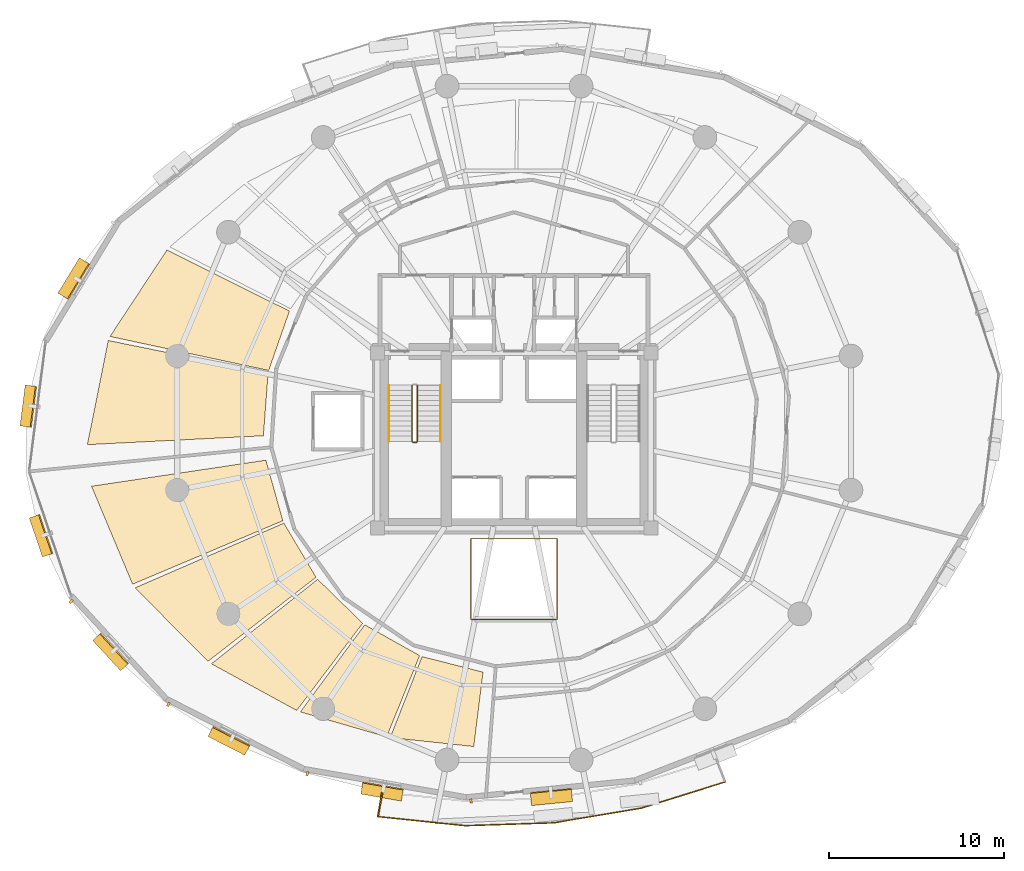
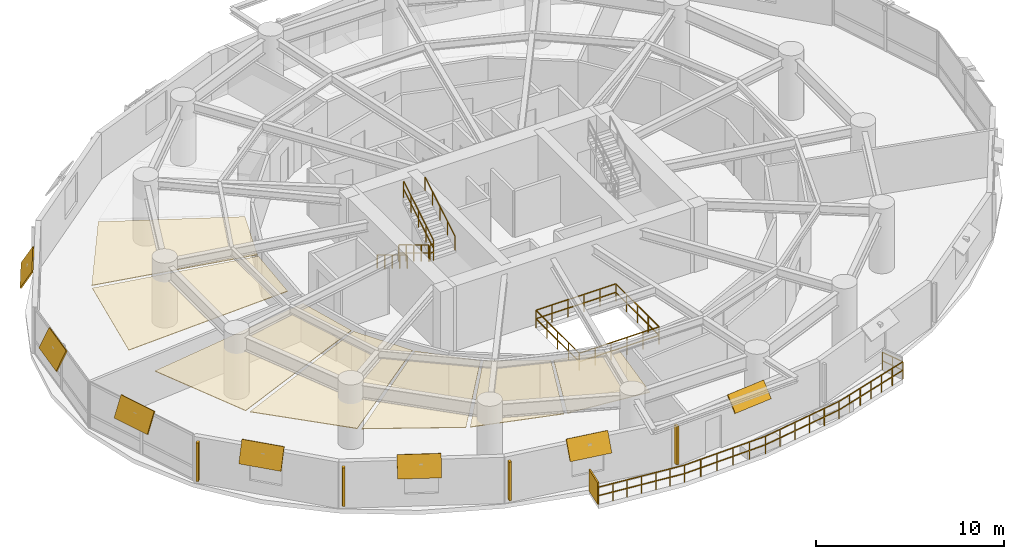
# One storey, part 15 of 17: 12 shading devices, 7 coverings, 7 railings.
"""IFC4 building model written with IfcOpenShell, lengths in metres."""

from ifc_helpers import new_model, si_unit, direction, frame, origin, origin_2d, place, context, subcontext, project, spatial, polyline, rectangle, outline, extrude, material, layer, layer_set, type_object, element, save


model = new_model("IFC4")

# Units and contexts
model_context = context("Model", 3, precision=1e-05, world=origin(), true_north=direction((0.0, 1.0)))
body_context = subcontext(model_context, "Body", "Model", "MODEL_VIEW")
ifc_project = project(units=[si_unit("LENGTHUNIT", "METRE"), si_unit("AREAUNIT", "SQUARE_METRE"), si_unit("VOLUMEUNIT", "CUBIC_METRE"), si_unit("PLANEANGLEUNIT", "RADIAN"), si_unit("MASSUNIT", "GRAM", prefix="KILO"), si_unit("THERMODYNAMICTEMPERATUREUNIT", "KELVIN"), si_unit("POWERUNIT", "WATT")], contexts=[model_context])

# Site, building, storey
site_placement = place(None, origin())
site = spatial("IfcSite", under=ifc_project, at=site_placement, CompositionType="ELEMENT")
building_placement = place(site_placement, origin())
building = spatial("IfcBuilding", under=site, at=building_placement, Name="Ocrelia Relay Tower", CompositionType="ELEMENT")
storey_placement = place(building_placement, frame((0.0, 0.0, 55.199951171875)))
storey = spatial("IfcBuildingStorey", under=building, at=storey_placement, Name="L12", CompositionType="ELEMENT", Elevation=55.199951171875)

# Coverings
ifc_material_1 = material(Name="Mineral-fiber acoustic ceiling tile", Category="gypsum")
ifc_layer_1 = layer(ifc_material_1, 0.0400390625, Name="Mineral-fiber acoustic ceiling tile")
ifc_layer_set_1 = layer_set([ifc_layer_1], Name="Mineral-fiber acoustic ceiling tile")
covering_type_1 = type_object("IfcCoveringType", Name="COV-CEIL-ACOUSTIC", PredefinedType="CEILING", material=ifc_layer_set_1)
covering_1_placement = place(storey_placement, frame((0.0, 0.0, 2.920166015625)))
element("IfcCovering", 1, at=covering_1_placement, inside=storey, type_object=covering_type_1, Name="L12 Carrier Briefing Room Suspended Ceiling 4", PredefinedType="CEILING", context=body_context, shape_type="SweptSolid", body=[
    extrude(outline(polyline([(21.1845703125, 32.3896484375), (14.192626953125, 35.87548828125), (10.9453125, 30.9423828125), (19.998046875, 29.001708984375), (21.1845703125, 32.3896484375)])), origin(), (0.0, 0.0, 1.0), 0.039794921875),
])
covering_2_placement = place(storey_placement, frame((0.0, 0.0, 2.920166015625)))
element("IfcCovering", 2, at=covering_2_placement, inside=storey, type_object=covering_type_1, Name="L12 Carrier Briefing Room Suspended Ceiling 5", PredefinedType="CEILING", context=body_context, shape_type="SweptSolid", body=[
    extrude(outline(polyline([(19.967529296875, 28.85498046875), (10.845458984375, 30.7109375), (9.6533203125, 24.7666015625), (19.6982421875, 25.275390625), (19.967529296875, 28.85498046875)])), origin(), (0.0, 0.0, 1.0), 0.039794921875),
])
ifc_material_2 = material(Name="Cleanroom metal-pan acoustic ceiling", Category="aluminium")
ifc_layer_2 = layer(ifc_material_2, 0.0400390625, Name="Cleanroom metal-pan acoustic ceiling")
ifc_layer_set_2 = layer_set([ifc_layer_2], Name="Cleanroom metal-pan acoustic ceiling")
covering_type_2 = type_object("IfcCoveringType", Name="COV-CEIL-CLEAN", PredefinedType="CEILING", material=ifc_layer_set_2)
covering_3_placement = place(storey_placement, frame((0.0, 0.0, 2.920166015625)))
element("IfcCovering", 3, at=covering_3_placement, inside=storey, type_object=covering_type_2, Name="L12 Colocation Data Hall A Suspended Ceiling 1", PredefinedType="CEILING", context=body_context, shape_type="SweptSolid", body=[
    extrude(outline(polyline([(19.83740234375, 23.88330078125), (9.889892578125, 22.396728515625), (12.2333984375, 16.805419921875), (20.80859375, 20.427734375), (19.83740234375, 23.88330078125)])), origin(), (0.0, 0.0, 1.0), 0.039794921875),
])
covering_4_placement = place(storey_placement, frame((0.0, 0.0, 2.920166015625)))
element("IfcCovering", 4, at=covering_4_placement, inside=storey, type_object=covering_type_2, Name="L12 Colocation Data Hall A Suspended Ceiling 2", PredefinedType="CEILING", context=body_context, shape_type="SweptSolid", body=[
    extrude(outline(polyline([(20.86767578125, 20.289794921875), (12.376953125, 16.597900390625), (16.535400390625, 12.404296875), (22.7001953125, 17.203369140625), (20.86767578125, 20.289794921875)])), origin(), (0.0, 0.0, 1.0), 0.039794921875),
])
covering_5_placement = place(storey_placement, frame((0.0, 0.0, 2.920166015625)))
element("IfcCovering", 5, at=covering_5_placement, inside=storey, type_object=covering_type_2, Name="L12 Colocation Data Hall A Suspended Ceiling 3", PredefinedType="CEILING", context=body_context, shape_type="SweptSolid", body=[
    extrude(outline(polyline([(22.793212890625, 17.085693359375), (16.72998046875, 12.2626953125), (21.59765625, 9.601318359375), (25.362060546875, 14.57861328125), (22.793212890625, 17.085693359375)])), origin(), (0.0, 0.0, 1.0), 0.039794921875),
])
covering_6_placement = place(storey_placement, frame((0.0, 0.0, 2.920166015625)))
element("IfcCovering", 6, at=covering_6_placement, inside=storey, type_object=covering_type_2, Name="L12 Colocation Data Hall A Suspended Ceiling 4", PredefinedType="CEILING", context=body_context, shape_type="SweptSolid", body=[
    extrude(outline(polyline([(25.482177734375, 14.48876953125), (21.80419921875, 9.5185546875), (26.727783203125, 8.091064453125), (28.612548828125, 12.732177734375), (25.482177734375, 14.48876953125)])), origin(), (0.0, 0.0, 1.0), 0.039794921875),
])
covering_7_placement = place(storey_placement, frame((0.0, 0.0, 2.920166015625)))
element("IfcCovering", 7, at=covering_7_placement, inside=storey, type_object=covering_type_2, Name="L12 Colocation Data Hall A Suspended Ceiling 5", PredefinedType="CEILING", context=body_context, shape_type="SweptSolid", body=[
    extrude(outline(polyline([(28.751708984375, 12.676513671875), (26.930419921875, 8.052490234375), (31.701416015625, 7.544677734375), (32.22998046875, 11.789794921875), (28.751708984375, 12.676513671875)])), origin(), (0.0, 0.0, 1.0), 0.039794921875),
])

# Railings
ifc_material_3 = material(Name="Steel S355 balustrade", Category="steel")
railing_type_1 = type_object("IfcRailingType", Name="RL-EXT-GUARD-1150", PredefinedType="GUARDRAIL", material=ifc_material_3)
railing_1_placement = place(storey_placement, frame((45.546875, 6.819580078125, 0.0)))
element("IfcRailing", 8, at=railing_1_placement, inside=storey, type_object=railing_type_1, Name="L12 Loggia Balcony Guard Rail B2", PredefinedType="GUARDRAIL", context=body_context, shape_type="SweptSolid", body=[
    extrude(rectangle(XDim=0.048095703125, YDim=0.048095703125, at=origin_2d()), frame((0.0, 0.0, 1.1259765625), z_axis=(0.364280426444, -0.931289305699, 0.0), x_axis=(0.931289305699, 0.364280426444, 0.0)), (0.0, 0.0, 1.0), 1.393310546875),
    extrude(rectangle(XDim=0.048095703125, YDim=0.048095703125, at=origin_2d()), frame((0.0, 0.0, 0.574951171875), z_axis=(0.364280426444, -0.931289305699, 0.0), x_axis=(0.931289305699, 0.364280426444, 0.0)), (0.0, 0.0, 1.0), 1.393310546875),
    extrude(rectangle(XDim=0.048095703125, YDim=0.048095703125, at=origin_2d()), frame((0.507568359375, -1.297607421875, 1.1259765625), z_axis=(-0.954616875741, -0.297836566847, 0.0), x_axis=(0.297836566847, -0.954616875741, 0.0)), (0.0, 0.0, 1.0), 2.505126953125),
    extrude(rectangle(XDim=0.048095703125, YDim=0.048095703125, at=origin_2d()), frame((0.507568359375, -1.297607421875, 0.574951171875), z_axis=(-0.954616875741, -0.297836566847, 0.0), x_axis=(0.297836566847, -0.954616875741, 0.0)), (0.0, 0.0, 1.0), 2.505126953125),
    extrude(rectangle(XDim=0.048095703125, YDim=0.048095703125, at=origin_2d()), frame((-1.8837890625, -2.043701171875, 1.1259765625), z_axis=(-0.954616875741, -0.297836566847, 0.0), x_axis=(0.297836566847, -0.954616875741, 0.0)), (0.0, 0.0, 1.0), 2.505126953125),
    extrude(rectangle(XDim=0.048095703125, YDim=0.048095703125, at=origin_2d()), frame((-1.8837890625, -2.043701171875, 0.574951171875), z_axis=(-0.954616875741, -0.297836566847, 0.0), x_axis=(0.297836566847, -0.954616875741, 0.0)), (0.0, 0.0, 1.0), 2.505126953125),
    extrude(rectangle(XDim=0.048095703125, YDim=0.048095703125, at=origin_2d()), frame((-4.275146484375, -2.789794921875, 1.1259765625), z_axis=(-0.986164992862, -0.165766724202, 0.0), x_axis=(0.165766724202, -0.986164992862, 0.0)), (0.0, 0.0, 1.0), 5.06494140625),
    extrude(rectangle(XDim=0.048095703125, YDim=0.048095703125, at=origin_2d()), frame((-4.275146484375, -2.789794921875, 0.574951171875), z_axis=(-0.986164992862, -0.165766724202, 0.0), x_axis=(0.165766724202, -0.986164992862, 0.0)), (0.0, 0.0, 1.0), 5.06494140625),
    extrude(rectangle(XDim=0.048095703125, YDim=0.048095703125, at=origin_2d()), frame((-9.27001953125, -3.62939453125, 1.1259765625), z_axis=(-0.999473731682, -0.032438552345, 0.0), x_axis=(0.032438552345, -0.999473731682, 0.0)), (0.0, 0.0, 1.0), 5.065185546875),
    extrude(rectangle(XDim=0.048095703125, YDim=0.048095703125, at=origin_2d()), frame((-9.27001953125, -3.62939453125, 0.574951171875), z_axis=(-0.999473731682, -0.032438552345, 0.0), x_axis=(0.032438552345, -0.999473731682, 0.0)), (0.0, 0.0, 1.0), 5.065185546875),
    extrude(rectangle(XDim=0.048095703125, YDim=0.048095703125, at=origin_2d()), frame((-14.33251953125, -3.793701171875, 1.1259765625), z_axis=(-0.994649747121, 0.10330479443, 0.0), x_axis=(-0.10330479443, -0.994649747121, 0.0)), (0.0, 0.0, 1.0), 2.505126953125),
    extrude(rectangle(XDim=0.048095703125, YDim=0.048095703125, at=origin_2d()), frame((-14.33251953125, -3.793701171875, 0.574951171875), z_axis=(-0.994649747121, 0.10330479443, 0.0), x_axis=(-0.10330479443, -0.994649747121, 0.0)), (0.0, 0.0, 1.0), 2.505126953125),
    extrude(rectangle(XDim=0.048095703125, YDim=0.048095703125, at=origin_2d()), frame((-16.82421875, -3.534912109375, 1.1259765625), z_axis=(-0.994658718221, 0.10321838144, 0.0), x_axis=(-0.10321838144, -0.994658718221, 0.0)), (0.0, 0.0, 1.0), 2.5048828125),
    extrude(rectangle(XDim=0.048095703125, YDim=0.048095703125, at=origin_2d()), frame((-16.82421875, -3.534912109375, 0.574951171875), z_axis=(-0.994658718221, 0.10321838144, 0.0), x_axis=(-0.10321838144, -0.994658718221, 0.0)), (0.0, 0.0, 1.0), 2.5048828125),
    extrude(rectangle(XDim=0.048095703125, YDim=0.048095703125, at=origin_2d()), frame((-19.315673828125, -3.2763671875, 1.1259765625), z_axis=(0.172915766639, 0.984936616056, 0.0), x_axis=(-0.984936616056, 0.172915766639, 0.0)), (0.0, 0.0, 1.0), 1.3935546875),
    extrude(rectangle(XDim=0.048095703125, YDim=0.048095703125, at=origin_2d()), frame((-19.315673828125, -3.2763671875, 0.574951171875), z_axis=(0.172915766639, 0.984936616056, 0.0), x_axis=(-0.984936616056, 0.172915766639, 0.0)), (0.0, 0.0, 1.0), 1.3935546875),
    extrude(rectangle(XDim=0.0419921875, YDim=0.0419921875, at=origin_2d()), origin(), (0.0, 0.0, 1.0), 1.101806640625),
    extrude(rectangle(XDim=0.0419921875, YDim=0.0419921875, at=origin_2d()), frame((0.25390625, -0.64892578125, 0.0)), (0.0, 0.0, 1.0), 1.101806640625),
    extrude(rectangle(XDim=0.0419921875, YDim=0.0419921875, at=origin_2d()), frame((0.507568359375, -1.297607421875, 0.0)), (0.0, 0.0, 1.0), 1.101806640625),
    extrude(rectangle(XDim=0.0419921875, YDim=0.0419921875, at=origin_2d()), frame((-0.28955078125, -1.54638671875, 0.0)), (0.0, 0.0, 1.0), 1.101806640625),
    extrude(rectangle(XDim=0.0419921875, YDim=0.0419921875, at=origin_2d()), frame((-1.086669921875, -1.794921875, 0.0)), (0.0, 0.0, 1.0), 1.101806640625),
    extrude(rectangle(XDim=0.0419921875, YDim=0.0419921875, at=origin_2d()), frame((-1.8837890625, -2.043701171875, 0.0)), (0.0, 0.0, 1.0), 1.101806640625),
    extrude(rectangle(XDim=0.0419921875, YDim=0.0419921875, at=origin_2d()), frame((-2.680908203125, -2.29248046875, 0.0)), (0.0, 0.0, 1.0), 1.101806640625),
    extrude(rectangle(XDim=0.0419921875, YDim=0.0419921875, at=origin_2d()), frame((-3.47802734375, -2.541015625, 0.0)), (0.0, 0.0, 1.0), 1.101806640625),
    extrude(rectangle(XDim=0.0419921875, YDim=0.0419921875, at=origin_2d()), frame((-4.275146484375, -2.789794921875, 0.0)), (0.0, 0.0, 1.0), 1.101806640625),
    extrude(rectangle(XDim=0.0419921875, YDim=0.0419921875, at=origin_2d()), frame((-5.274169921875, -2.957763671875, 0.0)), (0.0, 0.0, 1.0), 1.101806640625),
    extrude(rectangle(XDim=0.0419921875, YDim=0.0419921875, at=origin_2d()), frame((-6.273193359375, -3.125732421875, 0.0)), (0.0, 0.0, 1.0), 1.101806640625),
    extrude(rectangle(XDim=0.0419921875, YDim=0.0419921875, at=origin_2d()), frame((-7.27197265625, -3.29345703125, 0.0)), (0.0, 0.0, 1.0), 1.101806640625),
    extrude(rectangle(XDim=0.0419921875, YDim=0.0419921875, at=origin_2d()), frame((-8.27099609375, -3.46142578125, 0.0)), (0.0, 0.0, 1.0), 1.101806640625),
    extrude(rectangle(XDim=0.0419921875, YDim=0.0419921875, at=origin_2d()), frame((-9.27001953125, -3.62939453125, 0.0)), (0.0, 0.0, 1.0), 1.101806640625),
    extrude(rectangle(XDim=0.0419921875, YDim=0.0419921875, at=origin_2d()), frame((-10.282470703125, -3.662353515625, 0.0)), (0.0, 0.0, 1.0), 1.101806640625),
    extrude(rectangle(XDim=0.0419921875, YDim=0.0419921875, at=origin_2d()), frame((-11.294921875, -3.695068359375, 0.0)), (0.0, 0.0, 1.0), 1.101806640625),
    extrude(rectangle(XDim=0.0419921875, YDim=0.0419921875, at=origin_2d()), frame((-12.3076171875, -3.72802734375, 0.0)), (0.0, 0.0, 1.0), 1.101806640625),
    extrude(rectangle(XDim=0.0419921875, YDim=0.0419921875, at=origin_2d()), frame((-13.320068359375, -3.7607421875, 0.0)), (0.0, 0.0, 1.0), 1.101806640625),
    extrude(rectangle(XDim=0.0419921875, YDim=0.0419921875, at=origin_2d()), frame((-14.33251953125, -3.793701171875, 0.0)), (0.0, 0.0, 1.0), 1.101806640625),
    extrude(rectangle(XDim=0.0419921875, YDim=0.0419921875, at=origin_2d()), frame((-15.1630859375, -3.70751953125, 0.0)), (0.0, 0.0, 1.0), 1.101806640625),
    extrude(rectangle(XDim=0.0419921875, YDim=0.0419921875, at=origin_2d()), frame((-15.99365234375, -3.62109375, 0.0)), (0.0, 0.0, 1.0), 1.101806640625),
    extrude(rectangle(XDim=0.0419921875, YDim=0.0419921875, at=origin_2d()), frame((-16.82421875, -3.534912109375, 0.0)), (0.0, 0.0, 1.0), 1.101806640625),
    extrude(rectangle(XDim=0.0419921875, YDim=0.0419921875, at=origin_2d()), frame((-17.65478515625, -3.44873046875, 0.0)), (0.0, 0.0, 1.0), 1.101806640625),
    extrude(rectangle(XDim=0.0419921875, YDim=0.0419921875, at=origin_2d()), frame((-18.485107421875, -3.362548828125, 0.0)), (0.0, 0.0, 1.0), 1.101806640625),
    extrude(rectangle(XDim=0.0419921875, YDim=0.0419921875, at=origin_2d()), frame((-19.315673828125, -3.2763671875, 0.0)), (0.0, 0.0, 1.0), 1.101806640625),
    extrude(rectangle(XDim=0.0419921875, YDim=0.0419921875, at=origin_2d()), frame((-19.1953125, -2.590087890625, 0.0)), (0.0, 0.0, 1.0), 1.101806640625),
    extrude(rectangle(XDim=0.0419921875, YDim=0.0419921875, at=origin_2d()), frame((-19.07470703125, -1.90380859375, 0.0)), (0.0, 0.0, 1.0), 1.101806640625),
])
ifc_material_4 = material(Name="Steel S355 atrium balustrade", Category="steel")
railing_type_2 = type_object("IfcRailingType", Name="RL-INT-GUARD-115", PredefinedType="GUARDRAIL", material=ifc_material_4)
railing_2_placement = place(storey_placement, frame((31.550048828125, 14.800048828125, 0.0)))
element("IfcRailing", 9, at=railing_2_placement, inside=storey, type_object=railing_type_2, Name="L12 Multi-Zone Interior Atrium Guard", PredefinedType="GUARDRAIL", context=body_context, shape_type="SweptSolid", body=[
    extrude(rectangle(XDim=0.048095703125, YDim=0.048095703125, at=origin_2d()), frame((0.0, 0.0, 1.1259765625), z_axis=(1.0, 0.0, 0.0), x_axis=(0.0, 1.0, 0.0)), (0.0, 0.0, 1.0), 4.89990234375),
    extrude(rectangle(XDim=0.048095703125, YDim=0.048095703125, at=origin_2d()), frame((0.0, 0.0, 0.574951171875), z_axis=(1.0, 0.0, 0.0), x_axis=(0.0, 1.0, 0.0)), (0.0, 0.0, 1.0), 4.89990234375),
    extrude(rectangle(XDim=0.048095703125, YDim=0.048095703125, at=origin_2d()), frame((4.89990234375, 0.0, 1.1259765625), z_axis=(0.0, 1.0, 0.0), x_axis=(-1.0, 0.0, 0.0)), (0.0, 0.0, 1.0), 4.599853515625),
    extrude(rectangle(XDim=0.048095703125, YDim=0.048095703125, at=origin_2d()), frame((4.89990234375, 0.0, 0.574951171875), z_axis=(0.0, 1.0, 0.0), x_axis=(-1.0, 0.0, 0.0)), (0.0, 0.0, 1.0), 4.599853515625),
    extrude(rectangle(XDim=0.048095703125, YDim=0.048095703125, at=origin_2d()), frame((4.89990234375, 4.599853515625, 1.1259765625), z_axis=(-1.0, 0.0, 0.0), x_axis=(0.0, -1.0, 0.0)), (0.0, 0.0, 1.0), 4.89990234375),
    extrude(rectangle(XDim=0.048095703125, YDim=0.048095703125, at=origin_2d()), frame((4.89990234375, 4.599853515625, 0.574951171875), z_axis=(-1.0, 0.0, 0.0), x_axis=(0.0, -1.0, 0.0)), (0.0, 0.0, 1.0), 4.89990234375),
    extrude(rectangle(XDim=0.048095703125, YDim=0.048095703125, at=origin_2d()), frame((0.0, 4.599853515625, 1.1259765625), z_axis=(0.0, -1.0, 0.0), x_axis=(1.0, 0.0, 0.0)), (0.0, 0.0, 1.0), 4.599853515625),
    extrude(rectangle(XDim=0.048095703125, YDim=0.048095703125, at=origin_2d()), frame((0.0, 4.599853515625, 0.574951171875), z_axis=(0.0, -1.0, 0.0), x_axis=(1.0, 0.0, 0.0)), (0.0, 0.0, 1.0), 4.599853515625),
    extrude(rectangle(XDim=0.0419921875, YDim=0.0419921875, at=origin_2d()), origin(), (0.0, 0.0, 1.0), 1.101806640625),
    extrude(rectangle(XDim=0.0419921875, YDim=0.0419921875, at=origin_2d()), frame((0.97998046875, 0.0, 0.0)), (0.0, 0.0, 1.0), 1.101806640625),
    extrude(rectangle(XDim=0.0419921875, YDim=0.0419921875, at=origin_2d()), frame((1.9599609375, 0.0, 0.0)), (0.0, 0.0, 1.0), 1.101806640625),
    extrude(rectangle(XDim=0.0419921875, YDim=0.0419921875, at=origin_2d()), frame((2.93994140625, 0.0, 0.0)), (0.0, 0.0, 1.0), 1.101806640625),
    extrude(rectangle(XDim=0.0419921875, YDim=0.0419921875, at=origin_2d()), frame((3.919921875, 0.0, 0.0)), (0.0, 0.0, 1.0), 1.101806640625),
    extrude(rectangle(XDim=0.0419921875, YDim=0.0419921875, at=origin_2d()), frame((4.89990234375, 0.0, 0.0)), (0.0, 0.0, 1.0), 1.101806640625),
    extrude(rectangle(XDim=0.0419921875, YDim=0.0419921875, at=origin_2d()), frame((4.89990234375, 1.14990234375, 0.0)), (0.0, 0.0, 1.0), 1.101806640625),
    extrude(rectangle(XDim=0.0419921875, YDim=0.0419921875, at=origin_2d()), frame((4.89990234375, 2.2998046875, 0.0)), (0.0, 0.0, 1.0), 1.101806640625),
    extrude(rectangle(XDim=0.0419921875, YDim=0.0419921875, at=origin_2d()), frame((4.89990234375, 3.449951171875, 0.0)), (0.0, 0.0, 1.0), 1.101806640625),
    extrude(rectangle(XDim=0.0419921875, YDim=0.0419921875, at=origin_2d()), frame((4.89990234375, 4.599853515625, 0.0)), (0.0, 0.0, 1.0), 1.101806640625),
    extrude(rectangle(XDim=0.0419921875, YDim=0.0419921875, at=origin_2d()), frame((3.919921875, 4.599853515625, 0.0)), (0.0, 0.0, 1.0), 1.101806640625),
    extrude(rectangle(XDim=0.0419921875, YDim=0.0419921875, at=origin_2d()), frame((2.93994140625, 4.599853515625, 0.0)), (0.0, 0.0, 1.0), 1.101806640625),
    extrude(rectangle(XDim=0.0419921875, YDim=0.0419921875, at=origin_2d()), frame((1.9599609375, 4.599853515625, 0.0)), (0.0, 0.0, 1.0), 1.101806640625),
    extrude(rectangle(XDim=0.0419921875, YDim=0.0419921875, at=origin_2d()), frame((0.97998046875, 4.599853515625, 0.0)), (0.0, 0.0, 1.0), 1.101806640625),
    extrude(rectangle(XDim=0.0419921875, YDim=0.0419921875, at=origin_2d()), frame((0.0, 4.599853515625, 0.0)), (0.0, 0.0, 1.0), 1.101806640625),
    extrude(rectangle(XDim=0.0419921875, YDim=0.0419921875, at=origin_2d()), frame((0.0, 3.449951171875, 0.0)), (0.0, 0.0, 1.0), 1.101806640625),
    extrude(rectangle(XDim=0.0419921875, YDim=0.0419921875, at=origin_2d()), frame((0.0, 2.2998046875, 0.0)), (0.0, 0.0, 1.0), 1.101806640625),
    extrude(rectangle(XDim=0.0419921875, YDim=0.0419921875, at=origin_2d()), frame((0.0, 1.14990234375, 0.0)), (0.0, 0.0, 1.0), 1.101806640625),
])
railing_type_3 = type_object("IfcRailingType", Name="RL-STAIR-GUARD", PredefinedType="GUARDRAIL", material=ifc_material_3)
railing_3_placement = place(storey_placement, frame((28.179931640625, 28.14990234375, 0.175048828125)))
element("IfcRailing", 10, at=railing_3_placement, inside=storey, type_object=railing_type_3, Name="L12 ST1 stair guard 1", PredefinedType="GUARDRAIL", context=body_context, shape_type="SweptSolid", body=[
    extrude(rectangle(XDim=0.048095703125, YDim=0.048095703125, at=origin_2d()), frame((0.0, 0.0, 1.076171875), z_axis=(0.0, -0.856177665481, 0.516681531633), x_axis=(1.0, 0.0, 0.0)), (0.0, 0.0, 1.0), 3.725830078125),
    extrude(rectangle(XDim=0.048095703125, YDim=0.048095703125, at=origin_2d()), frame((0.0, 0.0, 0.550048828125), z_axis=(0.0, -0.856177665481, 0.516681531633), x_axis=(1.0, 0.0, 0.0)), (0.0, 0.0, 1.0), 3.725830078125),
    extrude(rectangle(XDim=0.0419921875, YDim=0.0419921875, at=origin_2d()), origin(), (0.0, 0.0, 1.0), 1.052001953125),
    extrude(rectangle(XDim=0.0419921875, YDim=0.0419921875, at=origin_2d()), frame((0.0, -0.79736328125, 0.481201171875)), (0.0, 0.0, 1.0), 1.052001953125),
    extrude(rectangle(XDim=0.0419921875, YDim=0.0419921875, at=origin_2d()), frame((0.0, -1.594970703125, 0.96240234375)), (0.0, 0.0, 1.0), 1.052001953125),
    extrude(rectangle(XDim=0.0419921875, YDim=0.0419921875, at=origin_2d()), frame((0.0, -2.392578125, 1.44384765625)), (0.0, 0.0, 1.0), 1.052001953125),
    extrude(rectangle(XDim=0.0419921875, YDim=0.0419921875, at=origin_2d()), frame((0.0, -3.18994140625, 1.925048828125)), (0.0, 0.0, 1.0), 1.052001953125),
])
railing_4_placement = place(storey_placement, frame((28.22998046875, 24.909912109375, 2.10009765625)))
element("IfcRailing", 11, at=railing_4_placement, inside=storey, type_object=railing_type_3, Name="L12 ST1 stair guard 2", PredefinedType="GUARDRAIL", context=body_context, shape_type="SweptSolid", body=[
    extrude(rectangle(XDim=0.048095703125, YDim=0.048095703125, at=origin_2d()), frame((0.0, 0.0, 1.076171875), z_axis=(1.0, 0.0, 0.0), x_axis=(0.0, 1.0, 0.0)), (0.0, 0.0, 1.0), 0.199951171875),
    extrude(rectangle(XDim=0.048095703125, YDim=0.048095703125, at=origin_2d()), frame((0.0, 0.0, 0.550048828125), z_axis=(1.0, 0.0, 0.0), x_axis=(0.0, 1.0, 0.0)), (0.0, 0.0, 1.0), 0.199951171875),
    extrude(rectangle(XDim=0.0419921875, YDim=0.0419921875, at=origin_2d()), origin(), (0.0, 0.0, 1.0), 1.052001953125),
    extrude(rectangle(XDim=0.0419921875, YDim=0.0419921875, at=origin_2d()), frame((0.199951171875, 0.0, 0.0)), (0.0, 0.0, 1.0), 1.052001953125),
])
railing_5_placement = place(storey_placement, frame((28.47998046875, 24.9599609375, 2.275146484375)))
element("IfcRailing", 12, at=railing_5_placement, inside=storey, type_object=railing_type_3, Name="L12 ST1 stair guard 3", PredefinedType="GUARDRAIL", context=body_context, shape_type="SweptSolid", body=[
    extrude(rectangle(XDim=0.048095703125, YDim=0.048095703125, at=origin_2d()), frame((0.0, 0.0, 1.076171875), z_axis=(0.0, 0.856206652436, 0.516633495163), x_axis=(-1.0, 0.0, 0.0)), (0.0, 0.0, 1.0), 3.7255859375),
    extrude(rectangle(XDim=0.048095703125, YDim=0.048095703125, at=origin_2d()), frame((0.0, 0.0, 0.550048828125), z_axis=(0.0, 0.856206652436, 0.516633495163), x_axis=(-1.0, 0.0, 0.0)), (0.0, 0.0, 1.0), 3.7255859375),
    extrude(rectangle(XDim=0.0419921875, YDim=0.0419921875, at=origin_2d()), origin(), (0.0, 0.0, 1.0), 1.052001953125),
    extrude(rectangle(XDim=0.0419921875, YDim=0.0419921875, at=origin_2d()), frame((0.0, 0.79736328125, 0.481201171875)), (0.0, 0.0, 1.0), 1.052001953125),
    extrude(rectangle(XDim=0.0419921875, YDim=0.0419921875, at=origin_2d()), frame((0.0, 1.594970703125, 0.96240234375)), (0.0, 0.0, 1.0), 1.052001953125),
    extrude(rectangle(XDim=0.0419921875, YDim=0.0419921875, at=origin_2d()), frame((0.0, 2.392578125, 1.443603515625)), (0.0, 0.0, 1.0), 1.052001953125),
    extrude(rectangle(XDim=0.0419921875, YDim=0.0419921875, at=origin_2d()), frame((0.0, 3.18994140625, 1.9248046875)), (0.0, 0.0, 1.0), 1.052001953125),
])
ifc_material_5 = material(Name="Steel S355 tubular handrail", Category="steel")
railing_type_4 = type_object("IfcRailingType", Name="RL-STAIR-HAND", PredefinedType="HANDRAIL", material=ifc_material_5)
railing_6_placement = place(storey_placement, frame((26.860107421875, 28.14990234375, 0.175048828125)))
element("IfcRailing", 13, at=railing_6_placement, inside=storey, type_object=railing_type_4, Name="L12 ST1 stair handrail 1", PredefinedType="HANDRAIL", context=body_context, shape_type="SweptSolid", body=[
    extrude(rectangle(XDim=0.048095703125, YDim=0.048095703125, at=origin_2d()), frame((0.0, 0.0, 0.8759765625), z_axis=(0.0, -0.856177665481, 0.516681531633), x_axis=(1.0, 0.0, 0.0)), (0.0, 0.0, 1.0), 3.725830078125),
    extrude(rectangle(XDim=0.0419921875, YDim=0.0419921875, at=origin_2d()), origin(), (0.0, 0.0, 1.0), 0.851806640625),
    extrude(rectangle(XDim=0.0419921875, YDim=0.0419921875, at=origin_2d()), frame((0.0, -0.79736328125, 0.481201171875)), (0.0, 0.0, 1.0), 0.851806640625),
    extrude(rectangle(XDim=0.0419921875, YDim=0.0419921875, at=origin_2d()), frame((0.0, -1.594970703125, 0.96240234375)), (0.0, 0.0, 1.0), 0.851806640625),
    extrude(rectangle(XDim=0.0419921875, YDim=0.0419921875, at=origin_2d()), frame((0.0, -2.392578125, 1.44384765625)), (0.0, 0.0, 1.0), 0.851806640625),
    extrude(rectangle(XDim=0.0419921875, YDim=0.0419921875, at=origin_2d()), frame((0.0, -3.18994140625, 1.925048828125)), (0.0, 0.0, 1.0), 0.851806640625),
])
railing_7_placement = place(storey_placement, frame((29.800048828125, 24.9599609375, 2.275146484375)))
element("IfcRailing", 14, at=railing_7_placement, inside=storey, type_object=railing_type_4, Name="L12 ST1 stair handrail 2", PredefinedType="HANDRAIL", context=body_context, shape_type="SweptSolid", body=[
    extrude(rectangle(XDim=0.048095703125, YDim=0.048095703125, at=origin_2d()), frame((0.0, 0.0, 0.8759765625), z_axis=(0.0, 0.856206652436, 0.516633495163), x_axis=(-1.0, 0.0, 0.0)), (0.0, 0.0, 1.0), 3.7255859375),
    extrude(rectangle(XDim=0.0419921875, YDim=0.0419921875, at=origin_2d()), origin(), (0.0, 0.0, 1.0), 0.851806640625),
    extrude(rectangle(XDim=0.0419921875, YDim=0.0419921875, at=origin_2d()), frame((0.0, 0.79736328125, 0.481201171875)), (0.0, 0.0, 1.0), 0.851806640625),
    extrude(rectangle(XDim=0.0419921875, YDim=0.0419921875, at=origin_2d()), frame((0.0, 1.594970703125, 0.96240234375)), (0.0, 0.0, 1.0), 0.851806640625),
    extrude(rectangle(XDim=0.0419921875, YDim=0.0419921875, at=origin_2d()), frame((0.0, 2.392578125, 1.443603515625)), (0.0, 0.0, 1.0), 0.851806640625),
    extrude(rectangle(XDim=0.0419921875, YDim=0.0419921875, at=origin_2d()), frame((0.0, 3.18994140625, 1.9248046875)), (0.0, 0.0, 1.0), 0.851806640625),
])

# Shading devices
ifc_material_6 = material(Name="Perforated oxide terracotta solar screen", Category="masonry")
ifc_layer_3 = layer(ifc_material_6, 0.090087890625, Name="Perforated oxide terracotta solar screen")
ifc_layer_set_3 = layer_set([ifc_layer_3], Name="Perforated oxide terracotta solar screen")
shading_device_type_1 = type_object("IfcShadingDeviceType", Name="SH-BALC-SCREEN", PredefinedType="USERDEFINED", material=ifc_layer_set_3)
shading_device_1_placement = place(storey_placement, frame((26.3515625, 4.2294921875, 0.0), z_axis=(0.0, 0.0, 1.0), x_axis=(-0.173015656653, -0.984919074114, 0.0)))
element("IfcShadingDevice", 15, at=shading_device_1_placement, inside=storey, type_object=shading_device_type_1, Name="L12 Balcony Perforated Terracotta Screen B2-1", ObjectType="SCREEN", PredefinedType="USERDEFINED", context=body_context, shape_type="SweptSolid", body=[
    extrude(rectangle(XDim=1.340087890625, YDim=0.090087890625, at=origin_2d()), origin(), (0.0, 0.0, 1.0), 1.39990234375),
])
ifc_material_7 = material(Name="Extruded oxide terracotta vertical baguette", Category="masonry")
shading_device_type_2 = type_object("IfcShadingDeviceType", Name="SH-TERR-BAGUETTE", PredefinedType="USERDEFINED", material=ifc_material_7)
for number, where, z_axis, x_axis, name in (
    (16, (8.722900390625, 15.823974609375, 0.25), (0.0, 0.0, 1.0), (0.678150648108, -0.734922920088, 0.0), "L12 Oxide Terracotta Vertical Baguette 11"),
    (17, (14.2783203125, 9.947265625, 0.25), (0.0, 0.0, 1.0), (0.890709621083, -0.454572734456, 0.0), "L12 Oxide Terracotta Vertical Baguette 12"),
    (18, (22.19775390625, 5.99658203125, 0.25), (0.0, 0.0, 1.0), (0.985164027211, -0.171615382436, 0.0), "L12 Oxide Terracotta Vertical Baguette 13"),
    (19, (31.54150390625, 4.44287109375, 0.25), (0.0, 0.0, 1.0), (0.995055734364, 0.099318102623, 0.0), "L12 Oxide Terracotta Vertical Baguette 14"),
):
    element("IfcShadingDevice", number, at=place(storey_placement, frame(where, z_axis=z_axis, x_axis=x_axis)), inside=storey, type_object=shading_device_type_2, Name=name, ObjectType="BAGUETTE", PredefinedType="USERDEFINED", context=body_context, shape_type="SweptSolid", body=[
        extrude(rectangle(XDim=0.139892578125, YDim=0.239990234375, at=origin_2d()), origin(), (0.0, 0.0, 1.0), 2.5),
    ])
ifc_material_8 = material(Name="Extruded oxide terracotta fin", Category="masonry")
ifc_layer_4 = layer(ifc_material_8, 0.080078125, Name="Extruded oxide terracotta fin")
ifc_layer_set_4 = layer_set([ifc_layer_4], Name="Extruded oxide terracotta fin")
shading_device_type_3 = type_object("IfcShadingDeviceType", Name="SH-VISOR-FIN-DEEP", PredefinedType="USERDEFINED", material=ifc_layer_set_4)
shading_device_2_placement = place(storey_placement, frame((8.912841796875, 34.221923828125, 2.81982421875), z_axis=(-0.736312762516, 0.447661659118, 0.507387972573), x_axis=(-0.51949918611, -0.854470944872, 0.0)))
element("IfcShadingDevice", 20, at=shading_device_2_placement, inside=storey, type_object=shading_device_type_3, Name="L12 Canted Terracotta Sun-Visor Fin 08", ObjectType="FIN", PredefinedType="USERDEFINED", context=body_context, shape_type="SweptSolid", body=[
    extrude(rectangle(XDim=2.35009765625, YDim=1.241943359375, at=origin_2d()), origin(), (0.0, 0.0, 1.0), 0.080078125),
])
shading_device_3_placement = place(storey_placement, frame((6.31982421875, 26.960205078125, 2.822265625), z_axis=(-0.886907974735, 0.1129879258, 0.447915140373), x_axis=(-0.126373950742, -0.991982673525, 0.0)))
element("IfcShadingDevice", 21, at=shading_device_3_placement, inside=storey, type_object=shading_device_type_3, Name="L12 Canted Terracotta Sun-Visor Fin 09", ObjectType="FIN", PredefinedType="USERDEFINED", context=body_context, shape_type="SweptSolid", body=[
    extrude(rectangle(XDim=2.35009765625, YDim=1.305908203125, at=origin_2d()), origin(), (0.0, 0.0, 1.0), 0.080078125),
])
shading_device_4_placement = place(storey_placement, frame((7.046630859375, 19.585205078125, 2.823486328125), z_axis=(-0.862196114615, -0.291168466908, 0.414534418138), x_axis=(0.319953522402, -0.947433239602, 0.0)))
element("IfcShadingDevice", 22, at=shading_device_4_placement, inside=storey, type_object=shading_device_type_3, Name="L12 Canted Terracotta Sun-Visor Fin 10", ObjectType="FIN", PredefinedType="USERDEFINED", context=body_context, shape_type="SweptSolid", body=[
    extrude(rectangle(XDim=2.35009765625, YDim=1.342041015625, at=origin_2d()), origin(), (0.0, 0.0, 1.0), 0.080078125),
])
shading_device_5_placement = place(storey_placement, frame((11.00830078125, 12.968505859375, 2.82373046875), z_axis=(-0.67096746988, -0.619135710863, 0.408011796273), x_axis=(0.678150648108, -0.734922920088, 0.0)))
element("IfcShadingDevice", 23, at=shading_device_5_placement, inside=storey, type_object=shading_device_type_3, Name="L12 Canted Terracotta Sun-Visor Fin 11", ObjectType="FIN", PredefinedType="USERDEFINED", context=body_context, shape_type="SweptSolid", body=[
    extrude(rectangle(XDim=2.35009765625, YDim=1.34912109375, at=origin_2d()), origin(), (0.0, 0.0, 1.0), 0.080078125),
])
shading_device_6_placement = place(storey_placement, frame((17.748046875, 7.90087890625, 2.822509765625), z_axis=(-0.408845104589, -0.801108910822, 0.437115766651), x_axis=(0.890709621083, -0.454572734456, 0.0)))
element("IfcShadingDevice", 24, at=shading_device_6_placement, inside=storey, type_object=shading_device_type_3, Name="L12 Canted Terracotta Sun-Visor Fin 12", ObjectType="FIN", PredefinedType="USERDEFINED", context=body_context, shape_type="SweptSolid", body=[
    extrude(rectangle(XDim=2.35009765625, YDim=1.318115234375, at=origin_2d()), origin(), (0.0, 0.0, 1.0), 0.080078125),
])
shading_device_7_placement = place(storey_placement, frame((26.47607421875, 5.0146484375, 2.8193359375), z_axis=(-0.146917651274, -0.843385848886, 0.51683219099), x_axis=(0.985164027211, -0.171615382436, 0.0)))
element("IfcShadingDevice", 25, at=shading_device_7_placement, inside=storey, type_object=shading_device_type_3, Name="L12 Canted Terracotta Sun-Visor Fin 13", ObjectType="FIN", PredefinedType="USERDEFINED", context=body_context, shape_type="SweptSolid", body=[
    extrude(rectangle(XDim=2.35009765625, YDim=1.23095703125, at=origin_2d()), origin(), (0.0, 0.0, 1.0), 0.080078125),
])
ifc_layer_5 = layer(ifc_material_8, 0.080078125, Name="Extruded oxide terracotta fin")
ifc_layer_set_5 = layer_set([ifc_layer_5], Name="Extruded oxide terracotta fin")
shading_device_type_4 = type_object("IfcShadingDeviceType", Name="SH-VISOR-FIN-MED", PredefinedType="USERDEFINED", material=ifc_layer_set_5)
shading_device_8_placement = place(storey_placement, frame((36.12646484375, 4.697265625, 2.814208984375), z_axis=(0.076004028036, -0.7614749168, 0.643723029576), x_axis=(0.995055734364, 0.099318102623, 0.0)))
element("IfcShadingDevice", 26, at=shading_device_8_placement, inside=storey, type_object=shading_device_type_4, Name="L12 Canted Terracotta Sun-Visor Fin 14", ObjectType="FIN", PredefinedType="USERDEFINED", context=body_context, shape_type="SweptSolid", body=[
    extrude(rectangle(XDim=2.35009765625, YDim=1.08203125, at=origin_2d()), origin(), (0.0, 0.0, 1.0), 0.080078125),
])

save(model, "model.ifc")
